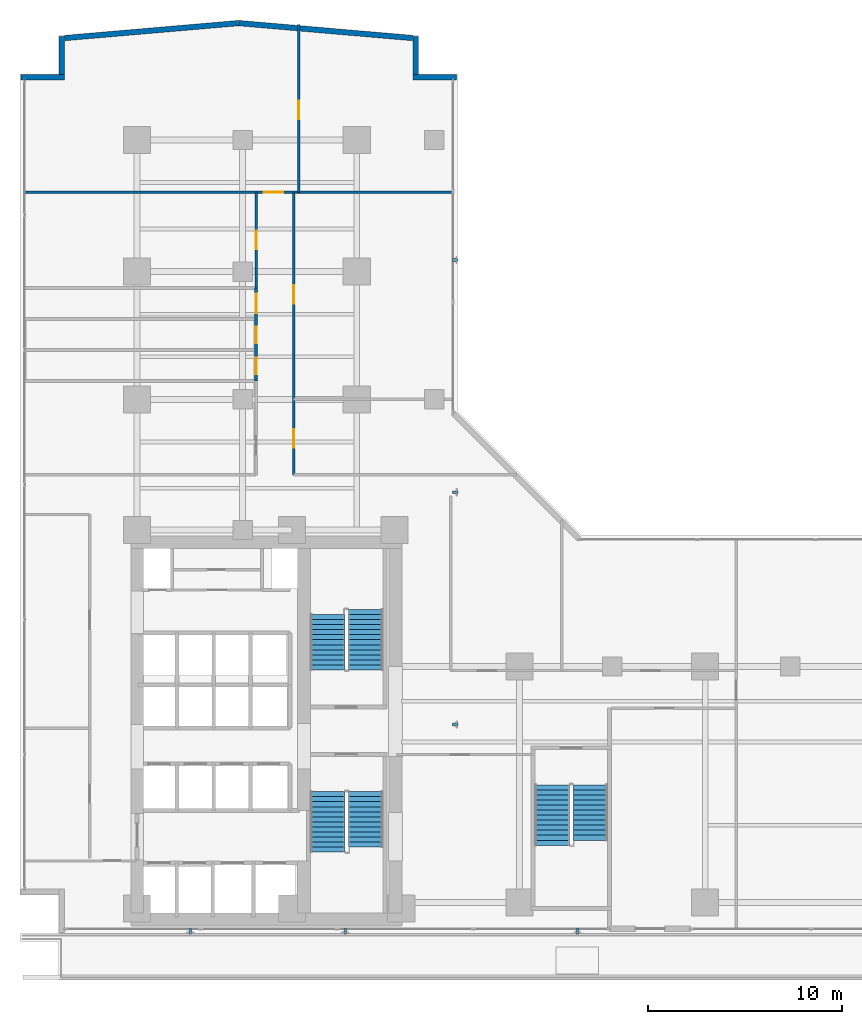
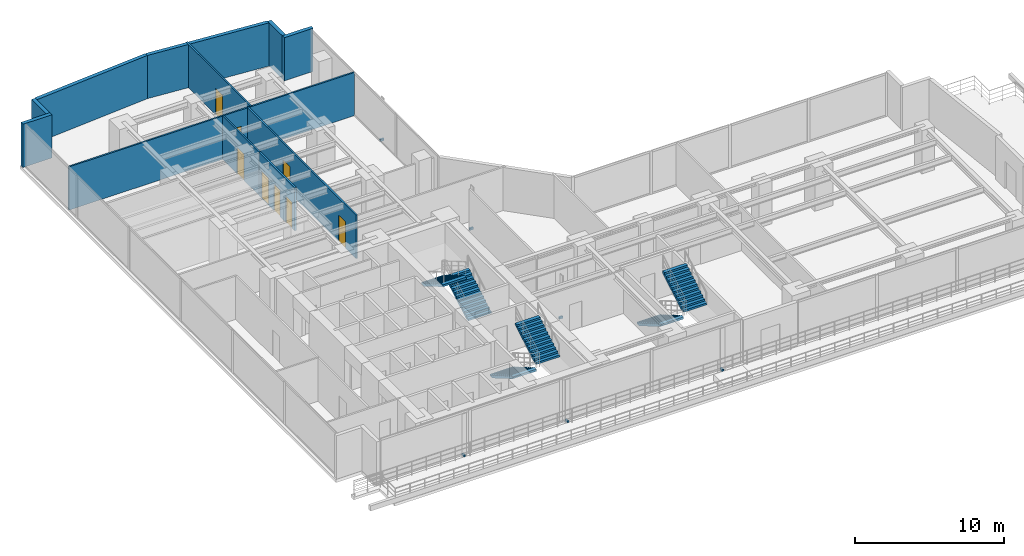
# One storey, part 20 of 26: 11 walls, 8 doors, 6 discrete accessories, 6 stair flights, 8 openings, 3 elements without a shape of their own.
"""IFC4 building model written with IfcOpenShell, lengths in metres."""

from ifc_helpers import new_model, si_unit, direction, frame, frame_2d, origin, origin_with_axes, origin_2d, place, context, subcontext, project, spatial, polyline, rectangle, outline, extrude, source, transform, mapped, material, layer, layer_set, type_object, element, fill, aggregate, save


model = new_model("IFC4")

# Units and contexts
model_context = context("Model", 3, precision=1e-05, world=origin(), true_north=direction((0.0, 1.0)))
body_context = subcontext(model_context, "Body", "Model", "MODEL_VIEW")
ifc_project = project(units=[si_unit("LENGTHUNIT", "METRE"), si_unit("AREAUNIT", "SQUARE_METRE"), si_unit("VOLUMEUNIT", "CUBIC_METRE"), si_unit("PLANEANGLEUNIT", "RADIAN"), si_unit("MASSUNIT", "GRAM", prefix="KILO")], contexts=[model_context])

# Site, building, storey
site_placement = place(None, origin())
site = spatial("IfcSite", under=ifc_project, at=site_placement, CompositionType="ELEMENT")
building_placement = place(site_placement, origin())
building = spatial("IfcBuilding", under=site, at=building_placement, Name="Kolvaren Waterfront Exchange", CompositionType="ELEMENT")
storey_placement = place(building_placement, frame((0.0, 0.0, 87.89990234375)))
storey = spatial("IfcBuildingStorey", under=building, at=storey_placement, Name="L22", CompositionType="ELEMENT", Elevation=87.89990234375)

# Walls
ifc_material_1 = material(Name="Precast concrete C40/50", Category="concrete")
ifc_layer_1 = layer(ifc_material_1, 0.280029296875, Name="Precast concrete C40/50")
ifc_layer_set_1 = layer_set([ifc_layer_1], Name="Precast concrete C40/50")
wall_type_1 = type_object("IfcWallType", Name="ARC-EXT-TERR-280", PredefinedType="SOLIDWALL", material=ifc_layer_set_1)
wall_1_placement = place(storey_placement, frame((21.699951171875, 47.840087890625, 0.0), z_axis=(0.0, 0.0, 1.0), x_axis=(1.0, 0.0, 0.0)))
element("IfcWall", 1, at=wall_1_placement, inside=storey, type_object=wall_type_1, Name="L22 notched corner spandrel pier NNE-A", PredefinedType="SOLIDWALL", context=body_context, shape_type="SweptSolid", body=[
    extrude(rectangle(XDim=2.239990234375, YDim=0.280029296875, at=frame_2d((1.1201171875, 0.0))), origin(), (0.0, 0.0, 1.0), 3.5400390625),
])
wall_2_placement = place(storey_placement, frame((21.840087890625, 47.97998046875, 0.0), z_axis=(0.0, 0.0, 1.0), x_axis=(0.0, 1.0, 0.0)))
element("IfcWall", 2, at=wall_2_placement, inside=storey, type_object=wall_type_1, Name="L22 notched corner spandrel pier NNE-B", PredefinedType="SOLIDWALL", context=body_context, shape_type="SweptSolid", body=[
    extrude(rectangle(XDim=1.9599609375, YDim=0.280029296875, at=frame_2d((0.97998046875, 0.0))), origin(), (0.0, 0.0, 1.0), 3.5400390625),
])
wall_3_placement = place(storey_placement, frame((1.4599609375, 47.840087890625, 0.0), z_axis=(0.0, 0.0, 1.0), x_axis=(1.0, 0.0, 0.0)))
element("IfcWall", 3, at=wall_3_placement, inside=storey, type_object=wall_type_1, Name="L22 notched corner spandrel pier NW-A", PredefinedType="SOLIDWALL", context=body_context, shape_type="SweptSolid", body=[
    extrude(rectangle(XDim=2.239990234375, YDim=0.280029296875, at=frame_2d((1.1201171875, 0.0))), origin(), (0.0, 0.0, 1.0), 3.5400390625),
])
wall_4_placement = place(storey_placement, frame((3.56005859375, 47.97998046875, 0.0), z_axis=(0.0, 0.0, 1.0), x_axis=(0.0, 1.0, 0.0)))
element("IfcWall", 4, at=wall_4_placement, inside=storey, type_object=wall_type_1, Name="L22 notched corner spandrel pier NW-B", PredefinedType="SOLIDWALL", context=body_context, shape_type="SweptSolid", body=[
    extrude(rectangle(XDim=1.9599609375, YDim=0.280029296875, at=frame_2d((0.97998046875, 0.0))), origin(), (0.0, 0.0, 1.0), 3.5400390625),
])
for number, where, z_axis, x_axis, name in (
    (5, (21.6875, 49.8662109375, 0.0), (0.0, 0.0, 1.0), (-0.996319339243, 0.085719159179, 0.0), "L22 north prow faceted facade wall 1"),
    (6, (12.69384765625, 50.638916015625, 0.0), (0.0, 0.0, 1.0), (-0.996319339243, -0.085719159179, 0.0), "L22 north prow faceted facade wall 2"),
):
    element("IfcWall", number, at=place(storey_placement, frame(where, z_axis=z_axis, x_axis=x_axis)), inside=storey, type_object=wall_type_1, Name=name, PredefinedType="SOLIDWALL", context=body_context, shape_type="SweptSolid", body=[
        extrude(rectangle(XDim=9.014404296875, YDim=0.280029296875, at=frame_2d((4.50732421875, 0.0))), origin(), (0.0, 0.0, 1.0), 3.5400390625),
    ])

# Wall, opening, door
ifc_material_2 = material(Name="Acoustic gypsum steel stud", Category="steel")
ifc_layer_2 = layer(ifc_material_2, 0.125, Name="Acoustic gypsum steel stud")
ifc_layer_set_2 = layer_set([ifc_layer_2], Name="Acoustic gypsum steel stud")
wall_type_2 = type_object("IfcWallType", Name="ARC-PART-125", PredefinedType="PARTITIONING", material=ifc_layer_set_2)
wall_5_placement = place(storey_placement, frame((13.60009765625, 36.949951171875, 0.0), z_axis=(0.0, 0.0, 1.0), x_axis=(0.0, 1.0, 0.0)))
wall_5 = element("IfcWall", 7, at=wall_5_placement, inside=storey, type_object=wall_type_2, Name="L22 interior wall PW-L22-NW-CORR", PredefinedType="PARTITIONING", context=body_context, shape_type="SweptSolid", body=[
    extrude(rectangle(XDim=4.949951171875, YDim=0.125, at=frame_2d((2.47509765625, 0.0))), origin(), (0.0, 0.0, 1.0), 3.5400390625),
])
opening_1_placement = place(wall_5_placement, frame((2.0, 0.0, 0.0)))
opening_1 = element("IfcOpeningElement", 8, at=opening_1_placement, cuts=wall_5, Name="Opening D02", PredefinedType="OPENING", context=body_context, shape_type="SweptSolid", body=[
    extrude(rectangle(XDim=0.949951171875, YDim=2.14990234375, at=frame_2d((0.47509765625, 1.074951171875))), frame((0.0, 0.072509765625, 0.0), z_axis=(0.0, -1.0, 0.0), x_axis=(1.0, 0.0, 0.0)), (0.0, 0.0, 1.0), 0.14501953125),
])
ifc_material_3 = material(Name="Oak veneer acoustic timber", Category="wood")
door_type_1 = type_object("IfcDoorType", Name="ARC-DR-950", OperationType="NOTDEFINED", PredefinedType="DOOR", material=ifc_material_3)
door_1_placement = place(opening_1_placement, origin())
door_1 = element("IfcDoor", 9, at=door_1_placement, inside=storey, type_object=door_type_1, Name="L22 door DR-L22-NW-D-1 (D02)", OperationType="SINGLE_SWING_RIGHT", OverallHeight=2.14990234375, OverallWidth=0.949951171875, PredefinedType="DOOR", context=body_context, shape_type="SweptSolid", body=[
    extrude(rectangle(XDim=0.949951171875, YDim=2.14990234375, at=frame_2d((0.47509765625, 1.074951171875))), frame((0.0, 0.02490234375, 0.0), z_axis=(0.0, -1.0, 0.0), x_axis=(1.0, 0.0, 0.0)), (0.0, 0.0, 1.0), 0.050048828125),
])
fill(opening_1, door_1)

wall_6_placement = place(storey_placement, frame((1.639892578125, 41.89990234375, 0.0), z_axis=(0.0, 0.0, 1.0), x_axis=(1.0, 0.0, 0.0)))
wall_6 = element("IfcWall", 10, at=wall_6_placement, inside=storey, type_object=wall_type_2, Name="L22 interior wall PW-L22-NTIP-S", PredefinedType="PARTITIONING", context=body_context, shape_type="SweptSolid", body=[
    extrude(rectangle(XDim=22.1201171875, YDim=0.125, at=frame_2d((11.06005859375, 0.0))), origin(), (0.0, 0.0, 1.0), 3.5400390625),
])
opening_2_placement = place(wall_6_placement, frame((12.360107421875, 0.0, 0.0)))
opening_2 = element("IfcOpeningElement", 11, at=opening_2_placement, cuts=wall_6, Name="Opening D03", PredefinedType="OPENING", context=body_context, shape_type="SweptSolid", body=[
    extrude(rectangle(XDim=1.0, YDim=2.199951171875, at=frame_2d((0.5, 1.10009765625))), frame((0.0, 0.072509765625, 0.0), z_axis=(0.0, -1.0, 0.0), x_axis=(1.0, 0.0, 0.0)), (0.0, 0.0, 1.0), 0.14501953125),
])
ifc_material_4 = material(Name="Oak veneer accessible timber", Category="wood")
door_type_2 = type_object("IfcDoorType", Name="ARC-DR-1000", OperationType="NOTDEFINED", PredefinedType="DOOR", material=ifc_material_4)
door_2_placement = place(opening_2_placement, origin())
door_2 = element("IfcDoor", 12, at=door_2_placement, inside=storey, type_object=door_type_2, Name="L22 door DR-L22-NTIPW-D (D03)", OperationType="SINGLE_SWING_LEFT", OverallHeight=2.199951171875, OverallWidth=1.0, PredefinedType="DOOR", context=body_context, shape_type="SweptSolid", body=[
    extrude(rectangle(XDim=1.0, YDim=2.199951171875, at=frame_2d((0.5, 1.10009765625))), frame((0.0, 0.02490234375, 0.0), z_axis=(0.0, -1.0, 0.0), x_axis=(1.0, 0.0, 0.0)), (0.0, 0.0, 1.0), 0.050048828125),
])
fill(opening_2, door_2)

wall_7_placement = place(storey_placement, frame((15.800048828125, 41.89990234375, 0.0), z_axis=(0.0, 0.0, 1.0), x_axis=(0.0, 1.0, 0.0)))
wall_7 = element("IfcWall", 13, at=wall_7_placement, inside=storey, type_object=wall_type_2, Name="L22 interior wall PW-L22-NTIP-DIV", PredefinedType="PARTITIONING", context=body_context, shape_type="SweptSolid", body=[
    extrude(rectangle(XDim=8.66015625, YDim=0.125, at=frame_2d((4.330078125, 0.0))), origin(), (0.0, 0.0, 1.0), 3.5400390625),
])
opening_3_placement = place(wall_7_placement, frame((3.77880859375, 0.0, 0.0)))
opening_3 = element("IfcOpeningElement", 14, at=opening_3_placement, cuts=wall_7, Name="Opening D02", PredefinedType="OPENING", context=body_context, shape_type="SweptSolid", body=[
    extrude(rectangle(XDim=0.949951171875, YDim=2.14990234375, at=frame_2d((0.47509765625, 1.074951171875))), frame((0.0, 0.072509765625, 0.0), z_axis=(0.0, -1.0, 0.0), x_axis=(1.0, 0.0, 0.0)), (0.0, 0.0, 1.0), 0.14501953125),
])
door_3_placement = place(opening_3_placement, origin())
door_3 = element("IfcDoor", 15, at=door_3_placement, inside=storey, type_object=door_type_1, Name="L22 door DR-L22-NTIPE-D (D02)", OperationType="SINGLE_SWING_RIGHT", OverallHeight=2.14990234375, OverallWidth=0.949951171875, PredefinedType="DOOR", context=body_context, shape_type="SweptSolid", body=[
    extrude(rectangle(XDim=0.949951171875, YDim=2.14990234375, at=frame_2d((0.47509765625, 1.074951171875))), frame((0.0, 0.02490234375, 0.0), z_axis=(0.0, -1.0, 0.0), x_axis=(1.0, 0.0, 0.0)), (0.0, 0.0, 1.0), 0.050048828125),
])
fill(opening_3, door_3)

# Wall, openings, doors
wall_8_placement = place(storey_placement, frame((15.5400390625, 27.300048828125, 0.0), z_axis=(0.0, 0.0, 1.0), x_axis=(0.0, 1.0, 0.0)))
wall_8 = element("IfcWall", 16, at=wall_8_placement, inside=storey, type_object=wall_type_2, Name="L22 interior wall PW-L22-NE-CORR", PredefinedType="PARTITIONING", context=body_context, shape_type="SweptSolid", body=[
    extrude(rectangle(XDim=14.599853515625, YDim=0.125, at=frame_2d((7.2998046875, 0.0))), origin(), (0.0, 0.0, 1.0), 3.5400390625),
])
opening_4_placement = place(wall_8_placement, frame((1.4033203125, 0.0, 0.0)))
opening_4 = element("IfcOpeningElement", 17, at=opening_4_placement, cuts=wall_8, Name="Opening D02", PredefinedType="OPENING", context=body_context, shape_type="SweptSolid", body=[
    extrude(rectangle(XDim=0.949951171875, YDim=2.14990234375, at=frame_2d((0.47509765625, 1.074951171875))), frame((0.0, 0.072509765625, 0.0), z_axis=(0.0, -1.0, 0.0), x_axis=(1.0, 0.0, 0.0)), (0.0, 0.0, 1.0), 0.14501953125),
])
opening_5_placement = place(wall_8_placement, frame((8.845947265625, 0.0, 0.0)))
opening_5 = element("IfcOpeningElement", 18, at=opening_5_placement, cuts=wall_8, Name="Opening D02", PredefinedType="OPENING", context=body_context, shape_type="SweptSolid", body=[
    extrude(rectangle(XDim=0.949951171875, YDim=2.14990234375, at=frame_2d((0.47509765625, 1.074951171875))), frame((0.0, 0.072509765625, 0.0), z_axis=(0.0, -1.0, 0.0), x_axis=(1.0, 0.0, 0.0)), (0.0, 0.0, 1.0), 0.14501953125),
])
door_4_placement = place(opening_4_placement, origin())
door_4 = element("IfcDoor", 19, at=door_4_placement, inside=storey, type_object=door_type_1, Name="L22 door DR-L22-NE-D-1 (D02)", OperationType="SINGLE_SWING_LEFT", OverallHeight=2.14990234375, OverallWidth=0.949951171875, PredefinedType="DOOR", context=body_context, shape_type="SweptSolid", body=[
    extrude(rectangle(XDim=0.949951171875, YDim=2.14990234375, at=frame_2d((0.47509765625, 1.074951171875))), frame((0.0, 0.02490234375, 0.0), z_axis=(0.0, -1.0, 0.0), x_axis=(1.0, 0.0, 0.0)), (0.0, 0.0, 1.0), 0.050048828125),
])
fill(opening_4, door_4)
door_5_placement = place(opening_5_placement, origin())
door_5 = element("IfcDoor", 20, at=door_5_placement, inside=storey, type_object=door_type_1, Name="L22 door DR-L22-NE-D-2 (D02)", OperationType="SINGLE_SWING_RIGHT", OverallHeight=2.14990234375, OverallWidth=0.949951171875, PredefinedType="DOOR", context=body_context, shape_type="SweptSolid", body=[
    extrude(rectangle(XDim=0.949951171875, YDim=2.14990234375, at=frame_2d((0.47509765625, 1.074951171875))), frame((0.0, 0.02490234375, 0.0), z_axis=(0.0, -1.0, 0.0), x_axis=(1.0, 0.0, 0.0)), (0.0, 0.0, 1.0), 0.050048828125),
])
fill(opening_5, door_5)

ifc_material_5 = material(Name="Moisture-resistant gypsum stud")
ifc_layer_3 = layer(ifc_material_5, 0.14990234375, Name="Moisture-resistant gypsum stud")
ifc_layer_set_3 = layer_set([ifc_layer_3], Name="Moisture-resistant gypsum stud")
wall_type_3 = type_object("IfcWallType", Name="ARC-PLUMB-150", PredefinedType="PLUMBINGWALL", material=ifc_layer_set_3)
wall_9_placement = place(storey_placement, frame((13.60009765625, 32.14990234375, 0.0), z_axis=(0.0, 0.0, 1.0), x_axis=(0.0, 1.0, 0.0)))
wall_9 = element("IfcWall", 21, at=wall_9_placement, inside=storey, type_object=wall_type_3, Name="L22 interior wall PW-L22-WC-E", PredefinedType="PLUMBINGWALL", context=body_context, shape_type="SweptSolid", body=[
    extrude(rectangle(XDim=4.800048828125, YDim=0.14990234375, at=frame_2d((2.39990234375, 0.0))), origin(), (0.0, 0.0, 1.0), 3.5400390625),
])
opening_6_placement = place(wall_9_placement, frame((0.35009765625, 0.0, 0.0)))
opening_6 = element("IfcOpeningElement", 22, at=opening_6_placement, cuts=wall_9, Name="Opening D01", PredefinedType="OPENING", context=body_context, shape_type="SweptSolid", body=[
    extrude(rectangle(XDim=0.85009765625, YDim=2.14990234375, at=frame_2d((0.425048828125, 1.074951171875))), frame((0.0, 0.0849609375, 0.0), z_axis=(0.0, -1.0, 0.0), x_axis=(1.0, 0.0, 0.0)), (0.0, 0.0, 1.0), 0.169921875),
])
opening_7_placement = place(wall_9_placement, frame((1.949951171875, 0.0, 0.0)))
opening_7 = element("IfcOpeningElement", 23, at=opening_7_placement, cuts=wall_9, Name="Opening D01", PredefinedType="OPENING", context=body_context, shape_type="SweptSolid", body=[
    extrude(rectangle(XDim=0.85009765625, YDim=2.14990234375, at=frame_2d((0.425048828125, 1.074951171875))), frame((0.0, 0.0849609375, 0.0), z_axis=(0.0, -1.0, 0.0), x_axis=(1.0, 0.0, 0.0)), (0.0, 0.0, 1.0), 0.169921875),
])
opening_8_placement = place(wall_9_placement, frame((3.5, 0.0, 0.0)))
opening_8 = element("IfcOpeningElement", 24, at=opening_8_placement, cuts=wall_9, Name="Opening D03", PredefinedType="OPENING", context=body_context, shape_type="SweptSolid", body=[
    extrude(rectangle(XDim=1.0, YDim=2.199951171875, at=frame_2d((0.5, 1.10009765625))), frame((0.0, 0.0849609375, 0.0), z_axis=(0.0, -1.0, 0.0), x_axis=(1.0, 0.0, 0.0)), (0.0, 0.0, 1.0), 0.169921875),
])
door_6_placement = place(opening_8_placement, origin())
door_6 = element("IfcDoor", 25, at=door_6_placement, inside=storey, type_object=door_type_2, Name="L22 door DR-L22-WCA-D (D03)", OperationType="SINGLE_SWING_LEFT", OverallHeight=2.199951171875, OverallWidth=1.0, PredefinedType="DOOR", context=body_context, shape_type="SweptSolid", body=[
    extrude(rectangle(XDim=1.0, YDim=2.199951171875, at=frame_2d((0.5, 1.10009765625))), frame((0.0, 0.02490234375, 0.0), z_axis=(0.0, -1.0, 0.0), x_axis=(1.0, 0.0, 0.0)), (0.0, 0.0, 1.0), 0.050048828125),
])
fill(opening_8, door_6)
ifc_material_6 = material(Name="Oak veneer timber leaf", Category="wood")
door_type_3 = type_object("IfcDoorType", Name="ARC-DR-900", OperationType="NOTDEFINED", PredefinedType="DOOR", material=ifc_material_6)
door_7_placement = place(opening_6_placement, origin())
door_7 = element("IfcDoor", 26, at=door_7_placement, inside=storey, type_object=door_type_3, Name="L22 door DR-L22-WCM-D (D01)", OperationType="SINGLE_SWING_LEFT", OverallHeight=2.14990234375, OverallWidth=0.85009765625, PredefinedType="DOOR", context=body_context, shape_type="SweptSolid", body=[
    extrude(rectangle(XDim=0.85009765625, YDim=2.14990234375, at=frame_2d((0.425048828125, 1.074951171875))), frame((0.0, 0.02490234375, 0.0), z_axis=(0.0, -1.0, 0.0), x_axis=(1.0, 0.0, 0.0)), (0.0, 0.0, 1.0), 0.050048828125),
])
fill(opening_6, door_7)
door_8_placement = place(opening_7_placement, origin())
door_8 = element("IfcDoor", 27, at=door_8_placement, inside=storey, type_object=door_type_3, Name="L22 door DR-L22-WCF-D (D01)", OperationType="SINGLE_SWING_RIGHT", OverallHeight=2.14990234375, OverallWidth=0.85009765625, PredefinedType="DOOR", context=body_context, shape_type="SweptSolid", body=[
    extrude(rectangle(XDim=0.85009765625, YDim=2.14990234375, at=frame_2d((0.425048828125, 1.074951171875))), frame((0.0, 0.02490234375, 0.0), z_axis=(0.0, -1.0, 0.0), x_axis=(1.0, 0.0, 0.0)), (0.0, 0.0, 1.0), 0.050048828125),
])
fill(opening_7, door_8)

# Stair, stair flights
ifc_material_7 = material(Name="Concrete C40/50", Category="concrete")
stair_type = type_object("IfcStairType", Name="ARC-STAIR-3800", PredefinedType="HALF_TURN_STAIR", material=ifc_material_7)
stair_1_placement = place(storey_placement, origin())
stair_1 = element("IfcStair", 28, at=stair_1_placement, inside=storey, type_object=stair_type, Name="L22 Smoke-proof exit stair ST1", PredefinedType="HALF_TURN_STAIR")
stair_flight_type = type_object("IfcStairFlightType", Name="ARC-FLIGHT-3800", PredefinedType="STRAIGHT", material=ifc_material_7)
stair_flight_1_placement = place(storey_placement, frame((17.300048828125, 10.929931640625, 0.0), z_axis=(0.0, 0.0, 1.0), x_axis=(0.0, -1.0, 0.0)))
stair_flight_1 = element("IfcStairFlight", 29, at=stair_flight_1_placement, type_object=stair_flight_type, Name="ST1 flight 1", NumberOfRisers=13, NumberOfTreads=12, PredefinedType="STRAIGHT", RiserHeight=0.152, TreadLength=0.26, context=body_context, shape_type="SweptSolid", body=[
    extrude(outline(polyline([(0.0, 0.0), (0.0, 0.152099609375), (0.260009765625, 0.152099609375), (0.260009765625, 0.303955078125), (0.52001953125, 0.303955078125), (0.52001953125, 0.4560546875), (0.780029296875, 0.4560546875), (0.780029296875, 0.60791015625), (1.0400390625, 0.60791015625), (1.0400390625, 0.760009765625), (1.300048828125, 0.760009765625), (1.300048828125, 0.912109375), (1.56005859375, 0.912109375), (1.56005859375, 1.06396484375), (1.820068359375, 1.06396484375), (1.820068359375, 1.216064453125), (2.080078125, 1.216064453125), (2.080078125, 1.367919921875), (2.340087890625, 1.367919921875), (2.340087890625, 1.52001953125), (2.60009765625, 1.52001953125), (2.60009765625, 1.672119140625), (2.860107421875, 1.672119140625), (2.860107421875, 1.823974609375), (3.1201171875, 1.823974609375), (3.1201171875, 1.97607421875), (3.1201171875, 1.650390625), (0.297119140625, 0.0), (0.0, 0.0)])), frame((0.0, 0.89990234375, 0.0), z_axis=(0.0, -1.0, 0.0), x_axis=(1.0, 0.0, 0.0)), (0.0, 0.0, 1.0), 1.800048828125),
])
stair_flight_2_placement = place(storey_placement, frame((19.260009765625, 8.070068359375, 1.97607421875), z_axis=(0.0, 0.0, 1.0), x_axis=(0.0, 1.0, 0.0)))
stair_flight_2 = element("IfcStairFlight", 30, at=stair_flight_2_placement, type_object=stair_flight_type, Name="ST1 flight 2", NumberOfRisers=12, NumberOfTreads=11, PredefinedType="STRAIGHT", RiserHeight=0.152, TreadLength=0.26, context=body_context, shape_type="SweptSolid", body=[
    extrude(outline(polyline([(0.0, 0.0), (0.0, 0.152099609375), (0.260009765625, 0.152099609375), (0.260009765625, 0.303955078125), (0.52001953125, 0.303955078125), (0.52001953125, 0.4560546875), (0.780029296875, 0.4560546875), (0.780029296875, 0.60791015625), (1.0400390625, 0.60791015625), (1.0400390625, 0.760009765625), (1.300048828125, 0.760009765625), (1.300048828125, 0.912109375), (1.56005859375, 0.912109375), (1.56005859375, 1.06396484375), (1.820068359375, 1.06396484375), (1.820068359375, 1.216064453125), (2.080078125, 1.216064453125), (2.080078125, 1.367919921875), (2.340087890625, 1.367919921875), (2.340087890625, 1.52001953125), (2.60009765625, 1.52001953125), (2.60009765625, 1.672119140625), (2.860107421875, 1.672119140625), (2.860107421875, 1.823974609375), (2.860107421875, 1.498291015625), (0.297119140625, 0.0), (0.0, 0.0)])), frame((0.0, 0.89990234375, 0.0), z_axis=(0.0, -1.0, 0.0), x_axis=(1.0, 0.0, 0.0)), (0.0, 0.0, 1.0), 1.800048828125),
])
aggregate(stair_1, [stair_flight_1, stair_flight_2])

stair_2_placement = place(storey_placement, origin())
stair_2 = element("IfcStair", 31, at=stair_2_placement, inside=storey, type_object=stair_type, Name="L22 Smoke-proof exit stair ST2", PredefinedType="HALF_TURN_STAIR")
stair_flight_3_placement = place(storey_placement, frame((19.260009765625, 17.219970703125, 0.0), z_axis=(0.0, 0.0, 1.0), x_axis=(0.0, 1.0, 0.0)))
stair_flight_3 = element("IfcStairFlight", 32, at=stair_flight_3_placement, type_object=stair_flight_type, Name="ST2 flight 1", NumberOfRisers=13, NumberOfTreads=12, PredefinedType="STRAIGHT", RiserHeight=0.152, TreadLength=0.26, context=body_context, shape_type="SweptSolid", body=[
    extrude(outline(polyline([(0.0, 0.0), (0.0, 0.152099609375), (0.260009765625, 0.152099609375), (0.260009765625, 0.303955078125), (0.52001953125, 0.303955078125), (0.52001953125, 0.4560546875), (0.780029296875, 0.4560546875), (0.780029296875, 0.60791015625), (1.0400390625, 0.60791015625), (1.0400390625, 0.760009765625), (1.300048828125, 0.760009765625), (1.300048828125, 0.912109375), (1.56005859375, 0.912109375), (1.56005859375, 1.06396484375), (1.820068359375, 1.06396484375), (1.820068359375, 1.216064453125), (2.080078125, 1.216064453125), (2.080078125, 1.367919921875), (2.340087890625, 1.367919921875), (2.340087890625, 1.52001953125), (2.60009765625, 1.52001953125), (2.60009765625, 1.672119140625), (2.860107421875, 1.672119140625), (2.860107421875, 1.823974609375), (3.1201171875, 1.823974609375), (3.1201171875, 1.97607421875), (3.1201171875, 1.650390625), (0.297119140625, 0.0), (0.0, 0.0)])), frame((0.0, 0.89990234375, 0.0), z_axis=(0.0, -1.0, 0.0), x_axis=(1.0, 0.0, 0.0)), (0.0, 0.0, 1.0), 1.800048828125),
])
stair_flight_4_placement = place(storey_placement, frame((17.300048828125, 20.080078125, 1.97607421875), z_axis=(0.0, 0.0, 1.0), x_axis=(0.0, -1.0, 0.0)))
stair_flight_4 = element("IfcStairFlight", 33, at=stair_flight_4_placement, type_object=stair_flight_type, Name="ST2 flight 2", NumberOfRisers=12, NumberOfTreads=11, PredefinedType="STRAIGHT", RiserHeight=0.152, TreadLength=0.26, context=body_context, shape_type="SweptSolid", body=[
    extrude(outline(polyline([(0.0, 0.0), (0.0, 0.152099609375), (0.260009765625, 0.152099609375), (0.260009765625, 0.303955078125), (0.52001953125, 0.303955078125), (0.52001953125, 0.4560546875), (0.780029296875, 0.4560546875), (0.780029296875, 0.60791015625), (1.0400390625, 0.60791015625), (1.0400390625, 0.760009765625), (1.300048828125, 0.760009765625), (1.300048828125, 0.912109375), (1.56005859375, 0.912109375), (1.56005859375, 1.06396484375), (1.820068359375, 1.06396484375), (1.820068359375, 1.216064453125), (2.080078125, 1.216064453125), (2.080078125, 1.367919921875), (2.340087890625, 1.367919921875), (2.340087890625, 1.52001953125), (2.60009765625, 1.52001953125), (2.60009765625, 1.672119140625), (2.860107421875, 1.672119140625), (2.860107421875, 1.823974609375), (2.860107421875, 1.498291015625), (0.297119140625, 0.0), (0.0, 0.0)])), frame((0.0, 0.89990234375, 0.0), z_axis=(0.0, -1.0, 0.0), x_axis=(1.0, 0.0, 0.0)), (0.0, 0.0, 1.0), 1.800048828125),
])
aggregate(stair_2, [stair_flight_3, stair_flight_4])

stair_3_placement = place(storey_placement, origin())
stair_3 = element("IfcStair", 34, at=stair_3_placement, inside=storey, type_object=stair_type, Name="L22 Exit stair ST3", PredefinedType="HALF_TURN_STAIR")
stair_flight_5_placement = place(storey_placement, frame((28.89990234375, 11.280029296875, 0.0), z_axis=(0.0, 0.0, 1.0), x_axis=(0.0, -1.0, 0.0)))
stair_flight_5 = element("IfcStairFlight", 35, at=stair_flight_5_placement, type_object=stair_flight_type, Name="ST3 flight 1", NumberOfRisers=13, NumberOfTreads=12, PredefinedType="STRAIGHT", RiserHeight=0.152, TreadLength=0.26, context=body_context, shape_type="SweptSolid", body=[
    extrude(outline(polyline([(0.0, 0.0), (0.0, 0.152099609375), (0.260009765625, 0.152099609375), (0.260009765625, 0.303955078125), (0.52001953125, 0.303955078125), (0.52001953125, 0.4560546875), (0.780029296875, 0.4560546875), (0.780029296875, 0.60791015625), (1.0400390625, 0.60791015625), (1.0400390625, 0.760009765625), (1.300048828125, 0.760009765625), (1.300048828125, 0.912109375), (1.56005859375, 0.912109375), (1.56005859375, 1.06396484375), (1.820068359375, 1.06396484375), (1.820068359375, 1.216064453125), (2.080078125, 1.216064453125), (2.080078125, 1.367919921875), (2.340087890625, 1.367919921875), (2.340087890625, 1.52001953125), (2.60009765625, 1.52001953125), (2.60009765625, 1.672119140625), (2.860107421875, 1.672119140625), (2.860107421875, 1.823974609375), (3.1201171875, 1.823974609375), (3.1201171875, 1.97607421875), (3.1201171875, 1.650390625), (0.297119140625, 0.0), (0.0, 0.0)])), frame((0.0, 0.89990234375, 0.0), z_axis=(0.0, -1.0, 0.0), x_axis=(1.0, 0.0, 0.0)), (0.0, 0.0, 1.0), 1.800048828125),
])
stair_flight_6_placement = place(storey_placement, frame((30.860107421875, 8.419921875, 1.97607421875), z_axis=(0.0, 0.0, 1.0), x_axis=(0.0, 1.0, 0.0)))
stair_flight_6 = element("IfcStairFlight", 36, at=stair_flight_6_placement, type_object=stair_flight_type, Name="ST3 flight 2", NumberOfRisers=12, NumberOfTreads=11, PredefinedType="STRAIGHT", RiserHeight=0.152, TreadLength=0.26, context=body_context, shape_type="SweptSolid", body=[
    extrude(outline(polyline([(0.0, 0.0), (0.0, 0.152099609375), (0.260009765625, 0.152099609375), (0.260009765625, 0.303955078125), (0.52001953125, 0.303955078125), (0.52001953125, 0.4560546875), (0.780029296875, 0.4560546875), (0.780029296875, 0.60791015625), (1.0400390625, 0.60791015625), (1.0400390625, 0.760009765625), (1.300048828125, 0.760009765625), (1.300048828125, 0.912109375), (1.56005859375, 0.912109375), (1.56005859375, 1.06396484375), (1.820068359375, 1.06396484375), (1.820068359375, 1.216064453125), (2.080078125, 1.216064453125), (2.080078125, 1.367919921875), (2.340087890625, 1.367919921875), (2.340087890625, 1.52001953125), (2.60009765625, 1.52001953125), (2.60009765625, 1.672119140625), (2.860107421875, 1.672119140625), (2.860107421875, 1.823974609375), (2.860107421875, 1.498291015625), (0.297119140625, 0.0), (0.0, 0.0)])), frame((0.0, 0.89990234375, 0.0), z_axis=(0.0, -1.0, 0.0), x_axis=(1.0, 0.0, 0.0)), (0.0, 0.0, 1.0), 1.800048828125),
])
aggregate(stair_3, [stair_flight_5, stair_flight_6])

# Discrete accessories
ifc_material_8 = material(Name="Stainless steel 316", Category="steel")
discrete_accessory_type = type_object("IfcDiscreteAccessoryType", Name="ARC-BRK-FIN", PredefinedType="BRACKET", material=ifc_material_8)
shared_shape = source(origin_with_axes(), body_context, "Body", "SweptSolid", [
    extrude(rectangle(XDim=0.280029296875, YDim=0.139892578125, at=origin_2d()), origin(), (0.0, 0.0, 1.0), 0.159912109375),
])
for number, where, z_axis, x_axis, name in (
    (37, (10.199951171875, 3.719970703125, 0.0), (0.0, 0.0, 1.0), (0.0, -1.0, 0.0), "L22 bronze fin anchor bracket FIN-L22-S1"),
    (38, (18.199951171875, 3.719970703125, 0.0), (0.0, 0.0, 1.0), (0.0, -1.0, 0.0), "L22 bronze fin anchor bracket FIN-L22-S2"),
    (39, (30.199951171875, 3.719970703125, 0.0), (0.0, 0.0, 1.0), (0.0, -1.0, 0.0), "L22 bronze fin anchor bracket FIN-L22-S3"),
    (40, (23.8798828125, 14.39990234375, 0.0), (0.0, 0.0, 1.0), (1.0, 0.0, 0.0), "L22 bronze fin anchor bracket FIN-L22-E1"),
    (41, (23.8798828125, 26.39990234375, 0.0), (0.0, 0.0, 1.0), (1.0, 0.0, 0.0), "L22 bronze fin anchor bracket FIN-L22-E2"),
    (42, (23.8798828125, 38.39990234375, 0.0), (0.0, 0.0, 1.0), (1.0, 0.0, 0.0), "L22 bronze fin anchor bracket FIN-L22-E3"),
):
    element("IfcDiscreteAccessory", number, at=place(storey_placement, frame(where, z_axis=z_axis, x_axis=x_axis)), inside=storey, type_object=discrete_accessory_type, Name=name, PredefinedType="BRACKET", context=body_context, shape_type="MappedRepresentation", body=[
        mapped(shared_shape, transform((0.0, 0.0, 0.0), x_axis=(1.0, 0.0, 0.0), y_axis=(0.0, 1.0, 0.0), z_axis=(0.0, 0.0, 1.0), scale=1.0)),
    ])

save(model, "model.ifc")
